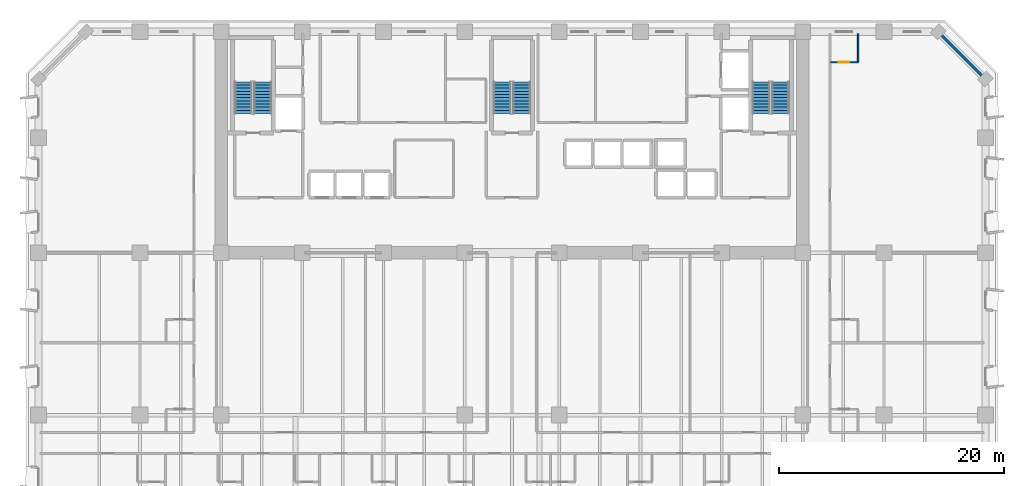
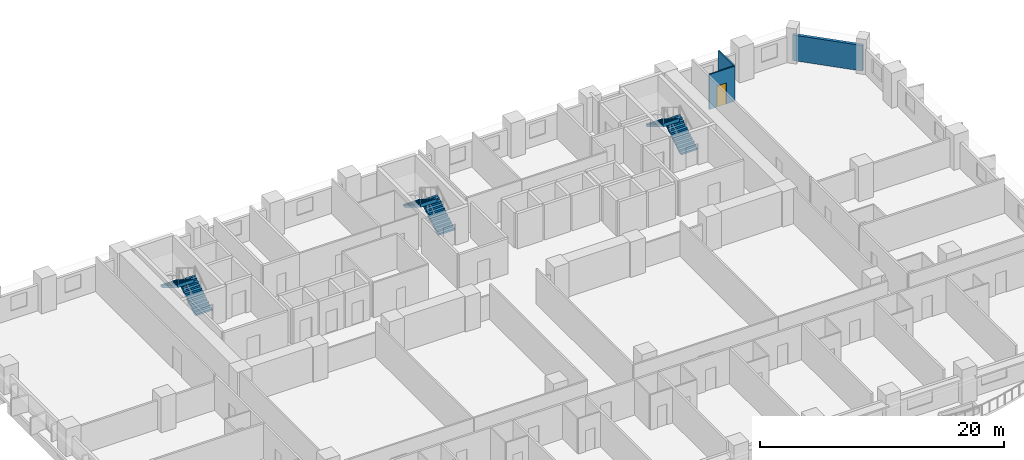
# One storey, part 11 of 15: 6 stair flights, 3 walls, 1 door, 1 opening, 3 elements without a shape of their own.
"""IFC4 building model written with IfcOpenShell, lengths in metres."""

from ifc_helpers import new_model, si_unit, direction, frame, frame_2d, origin, place, context, subcontext, project, spatial, polyline, rectangle, outline, extrude, material, layer, layer_set, type_object, element, fill, aggregate, save


model = new_model("IFC4")

# Units and contexts
model_context = context("Model", 3, precision=1e-05, world=origin(), true_north=direction((0.0, 1.0)))
body_context = subcontext(model_context, "Body", "Model", "MODEL_VIEW")
ifc_project = project(units=[si_unit("LENGTHUNIT", "METRE"), si_unit("AREAUNIT", "SQUARE_METRE"), si_unit("VOLUMEUNIT", "CUBIC_METRE"), si_unit("PLANEANGLEUNIT", "RADIAN"), si_unit("MASSUNIT", "GRAM", prefix="KILO")], contexts=[model_context])

# Site, building, storey
site_placement = place(None, origin())
site = spatial("IfcSite", under=ifc_project, at=site_placement, CompositionType="ELEMENT")
building_placement = place(site_placement, origin())
building = spatial("IfcBuilding", under=site, at=building_placement, Name="Kaelvorn Grand Hotel", CompositionType="ELEMENT")
storey_placement = place(building_placement, frame((0.0, 0.0, 57.64990234375)))
storey = spatial("IfcBuildingStorey", under=building, at=storey_placement, Name="L12", CompositionType="ELEMENT", Elevation=57.64990234375)

# Wall
ifc_material_1 = material(Name="Concrete C40/50", Category="concrete")
ifc_layer_1 = layer(ifc_material_1, 0.260009765625)
ifc_layer_set_1 = layer_set([ifc_layer_1], Name="Concrete C40/50")
wall_type_1 = type_object("IfcWallType", Name="WL-EXT-260-C40", PredefinedType="SOLIDWALL", material=ifc_layer_set_1)
wall_1_placement = place(storey_placement, frame((84.0, 44.800048828125, 0.0), z_axis=(0.0, 0.0, 1.0), x_axis=(-0.707106781187, 0.707106781187, 0.0)))
element("IfcWall", 1, at=wall_1_placement, inside=storey, type_object=wall_type_1, Name="L12 Exterior Architectural Concrete Wall 04", PredefinedType="SOLIDWALL", context=body_context, shape_type="SweptSolid", body=[
    extrude(rectangle(XDim=5.939697265625, YDim=0.260009765625, at=frame_2d((2.9697265625, 0.0))), origin(), (0.0, 0.0, 1.0), 2.56005859375),
])

# Wall, opening, door
ifc_material_2 = material(Name="Moisture-Resistant Tile & Stud Board")
ifc_layer_2 = layer(ifc_material_2, 0.125)
ifc_layer_set_2 = layer_set([ifc_layer_2], Name="Moisture-Resistant Tile & Stud Board")
wall_type_2 = type_object("IfcWallType", Name="WL-PART-125-WET", PredefinedType="PARTITIONING", material=ifc_layer_set_2)
wall_2_placement = place(storey_placement, frame((70.294921875, 46.300048828125, 0.0), z_axis=(0.0, 0.0, 1.0), x_axis=(1.0, 0.0, 0.0)))
wall_2 = element("IfcWall", 2, at=wall_2_placement, inside=storey, type_object=wall_type_2, Name="L12 En-suite Bathroom L12-16 S Partition", PredefinedType="PARTITIONING", context=body_context, shape_type="SweptSolid", body=[
    extrude(rectangle(XDim=2.405029296875, YDim=0.125, at=frame_2d((1.20263671875, 0.0))), origin(), (0.0, 0.0, 1.0), 3.510009765625),
])
opening_placement = place(wall_2_placement, frame((0.705078125, 0.0, 0.0)))
opening = element("IfcOpeningElement", 3, at=opening_placement, cuts=wall_2, Name="Opening DI4", PredefinedType="OPENING", context=body_context, shape_type="SweptSolid", body=[
    extrude(rectangle(XDim=0.89990234375, YDim=2.10009765625, at=frame_2d((0.449951171875, 1.050048828125))), frame((0.0, 0.072509765625, 0.0), z_axis=(0.0, -1.0, 0.0), x_axis=(1.0, 0.0, 0.0)), (0.0, 0.0, 1.0), 0.14501953125),
])
ifc_material_3 = material(Name="Timber Veneer Leaf", Category="wood")
door_type = type_object("IfcDoorType", Name="DR-INT-BATH-900x2100", OperationType="NOTDEFINED", PredefinedType="DOOR", material=ifc_material_3)
door_placement = place(opening_placement, origin())
door = element("IfcDoor", 4, at=door_placement, inside=storey, type_object=door_type, Name="L12 En-suite Bathroom L12-16 Door", OperationType="SINGLE_SWING_LEFT", OverallHeight=2.10009765625, OverallWidth=0.89990234375, PredefinedType="DOOR", context=body_context, shape_type="SweptSolid", body=[
    extrude(rectangle(XDim=0.89990234375, YDim=2.10009765625, at=frame_2d((0.449951171875, 1.050048828125))), frame((0.0, 0.02490234375, 0.0), z_axis=(0.0, -1.0, 0.0), x_axis=(1.0, 0.0, 0.0)), (0.0, 0.0, 1.0), 0.050048828125),
])
fill(opening, door)

# Wall
wall_3_placement = place(storey_placement, frame((72.699951171875, 46.367431640625, 0.0), z_axis=(0.0, 0.0, 1.0), x_axis=(0.0, 1.0, 0.0)))
element("IfcWall", 5, at=wall_3_placement, inside=storey, type_object=wall_type_2, Name="L12 En-suite Bathroom L12-16 E Partition", PredefinedType="PARTITIONING", context=body_context, shape_type="SweptSolid", body=[
    extrude(rectangle(XDim=2.482666015625, YDim=0.125, at=frame_2d((1.2412109375, 0.0))), origin(), (0.0, 0.0, 1.0), 3.510009765625),
])

# Stair, stair flights
stair_type = type_object("IfcStairType", Name="STR-DOG-1560-R06", PredefinedType="HALF_TURN_STAIR", material=ifc_material_1)
stair_1_placement = place(storey_placement, origin())
stair_1 = element("IfcStair", 6, at=stair_1_placement, inside=storey, type_object=stair_type, Name="L12 West Core Exit Stair ST1", PredefinedType="HALF_TURN_STAIR")
stair_flight_type = type_object("IfcStairFlightType", Name="FLG-DOG-1560-R06", PredefinedType="STRAIGHT", material=ifc_material_1)
stair_flight_1_placement = place(storey_placement, frame((19.89990234375, 41.760009765625, 0.0), z_axis=(0.0, 0.0, 1.0), x_axis=(0.0, 1.0, 0.0)))
stair_flight_1 = element("IfcStairFlight", 7, at=stair_flight_1_placement, type_object=stair_flight_type, Name="ST1 flight 1", NumberOfRisers=11, NumberOfTreads=10, PredefinedType="STRAIGHT", RiserHeight=0.170454545, TreadLength=0.28, context=body_context, shape_type="SweptSolid", body=[
    extrude(outline(polyline([(-0.0048828125, 0.0), (-0.0048828125, 0.0400390625), (0.0, 0.17041015625), (0.280029296875, 0.17041015625), (0.280029296875, 0.3408203125), (0.56005859375, 0.3408203125), (0.56005859375, 0.511474609375), (0.840087890625, 0.511474609375), (0.840087890625, 0.681884765625), (1.1201171875, 0.681884765625), (1.1201171875, 0.852294921875), (1.39990234375, 0.852294921875), (1.39990234375, 1.022705078125), (1.679931640625, 1.022705078125), (1.679931640625, 1.193115234375), (1.9599609375, 1.193115234375), (1.9599609375, 1.363525390625), (2.239990234375, 1.363525390625), (2.239990234375, 1.5341796875), (2.52001953125, 1.5341796875), (2.52001953125, 1.70458984375), (2.800048828125, 1.70458984375), (2.800048828125, 1.875), (2.804931640625, 1.875), (2.804931640625, 1.529052734375), (0.288330078125, 0.0), (-0.0048828125, 0.0)])), frame((0.0, 0.780029296875, 0.0), z_axis=(0.0, -1.0, 0.0), x_axis=(1.0, 0.0, 0.0)), (0.0, 0.0, 1.0), 1.56005859375),
])
stair_flight_2_placement = place(storey_placement, frame((18.179931640625, 44.56005859375, 1.875), z_axis=(0.0, 0.0, 1.0), x_axis=(0.0, -1.0, 0.0)))
stair_flight_2 = element("IfcStairFlight", 8, at=stair_flight_2_placement, type_object=stair_flight_type, Name="ST1 flight 2", NumberOfRisers=11, NumberOfTreads=10, PredefinedType="STRAIGHT", RiserHeight=0.170454545, TreadLength=0.28, context=body_context, shape_type="SweptSolid", body=[
    extrude(outline(polyline([(-0.0048828125, 0.0), (-0.0048828125, 0.0400390625), (0.0, 0.17041015625), (0.280029296875, 0.17041015625), (0.280029296875, 0.3408203125), (0.56005859375, 0.3408203125), (0.56005859375, 0.511474609375), (0.840087890625, 0.511474609375), (0.840087890625, 0.681884765625), (1.1201171875, 0.681884765625), (1.1201171875, 0.852294921875), (1.39990234375, 0.852294921875), (1.39990234375, 1.022705078125), (1.679931640625, 1.022705078125), (1.679931640625, 1.193115234375), (1.9599609375, 1.193115234375), (1.9599609375, 1.363525390625), (2.239990234375, 1.363525390625), (2.239990234375, 1.5341796875), (2.52001953125, 1.5341796875), (2.52001953125, 1.70458984375), (2.800048828125, 1.70458984375), (2.800048828125, 1.875), (2.804931640625, 1.875), (2.804931640625, 1.529052734375), (0.288330078125, 0.0), (-0.0048828125, 0.0)])), frame((0.0, 0.780029296875, 0.0), z_axis=(0.0, -1.0, 0.0), x_axis=(1.0, 0.0, 0.0)), (0.0, 0.0, 1.0), 1.56005859375),
])
aggregate(stair_1, [stair_flight_1, stair_flight_2])

stair_2_placement = place(storey_placement, origin())
stair_2 = element("IfcStair", 9, at=stair_2_placement, inside=storey, type_object=stair_type, Name="L12 Central Core Exit Stair ST2", PredefinedType="HALF_TURN_STAIR")
stair_flight_3_placement = place(storey_placement, frame((42.860107421875, 41.760009765625, 0.0), z_axis=(0.0, 0.0, 1.0), x_axis=(0.0, 1.0, 0.0)))
stair_flight_3 = element("IfcStairFlight", 10, at=stair_flight_3_placement, type_object=stair_flight_type, Name="ST2 flight 1", NumberOfRisers=11, NumberOfTreads=10, PredefinedType="STRAIGHT", RiserHeight=0.170454545, TreadLength=0.28, context=body_context, shape_type="SweptSolid", body=[
    extrude(outline(polyline([(-0.0048828125, 0.0), (-0.0048828125, 0.0400390625), (0.0, 0.17041015625), (0.280029296875, 0.17041015625), (0.280029296875, 0.3408203125), (0.56005859375, 0.3408203125), (0.56005859375, 0.511474609375), (0.840087890625, 0.511474609375), (0.840087890625, 0.681884765625), (1.1201171875, 0.681884765625), (1.1201171875, 0.852294921875), (1.39990234375, 0.852294921875), (1.39990234375, 1.022705078125), (1.679931640625, 1.022705078125), (1.679931640625, 1.193115234375), (1.9599609375, 1.193115234375), (1.9599609375, 1.363525390625), (2.239990234375, 1.363525390625), (2.239990234375, 1.5341796875), (2.52001953125, 1.5341796875), (2.52001953125, 1.70458984375), (2.800048828125, 1.70458984375), (2.800048828125, 1.875), (2.804931640625, 1.875), (2.804931640625, 1.529052734375), (0.288330078125, 0.0), (-0.0048828125, 0.0)])), frame((0.0, 0.780029296875, 0.0), z_axis=(0.0, -1.0, 0.0), x_axis=(1.0, 0.0, 0.0)), (0.0, 0.0, 1.0), 1.56005859375),
])
stair_flight_4_placement = place(storey_placement, frame((41.139892578125, 44.56005859375, 1.875), z_axis=(0.0, 0.0, 1.0), x_axis=(0.0, -1.0, 0.0)))
stair_flight_4 = element("IfcStairFlight", 11, at=stair_flight_4_placement, type_object=stair_flight_type, Name="ST2 flight 2", NumberOfRisers=11, NumberOfTreads=10, PredefinedType="STRAIGHT", RiserHeight=0.170454545, TreadLength=0.28, context=body_context, shape_type="SweptSolid", body=[
    extrude(outline(polyline([(-0.0048828125, 0.0), (-0.0048828125, 0.0400390625), (0.0, 0.17041015625), (0.280029296875, 0.17041015625), (0.280029296875, 0.3408203125), (0.56005859375, 0.3408203125), (0.56005859375, 0.511474609375), (0.840087890625, 0.511474609375), (0.840087890625, 0.681884765625), (1.1201171875, 0.681884765625), (1.1201171875, 0.852294921875), (1.39990234375, 0.852294921875), (1.39990234375, 1.022705078125), (1.679931640625, 1.022705078125), (1.679931640625, 1.193115234375), (1.9599609375, 1.193115234375), (1.9599609375, 1.363525390625), (2.239990234375, 1.363525390625), (2.239990234375, 1.5341796875), (2.52001953125, 1.5341796875), (2.52001953125, 1.70458984375), (2.800048828125, 1.70458984375), (2.800048828125, 1.875), (2.804931640625, 1.875), (2.804931640625, 1.529052734375), (0.288330078125, 0.0), (-0.0048828125, 0.0)])), frame((0.0, 0.780029296875, 0.0), z_axis=(0.0, -1.0, 0.0), x_axis=(1.0, 0.0, 0.0)), (0.0, 0.0, 1.0), 1.56005859375),
])
aggregate(stair_2, [stair_flight_3, stair_flight_4])

stair_3_placement = place(storey_placement, origin())
stair_3 = element("IfcStair", 12, at=stair_3_placement, inside=storey, type_object=stair_type, Name="L12 East Core Exit Stair ST3", PredefinedType="HALF_TURN_STAIR")
stair_flight_5_placement = place(storey_placement, frame((65.820068359375, 41.760009765625, 0.0), z_axis=(0.0, 0.0, 1.0), x_axis=(0.0, 1.0, 0.0)))
stair_flight_5 = element("IfcStairFlight", 13, at=stair_flight_5_placement, type_object=stair_flight_type, Name="ST3 flight 1", NumberOfRisers=11, NumberOfTreads=10, PredefinedType="STRAIGHT", RiserHeight=0.170454545, TreadLength=0.28, context=body_context, shape_type="SweptSolid", body=[
    extrude(outline(polyline([(-0.0048828125, 0.0), (-0.0048828125, 0.0400390625), (0.0, 0.17041015625), (0.280029296875, 0.17041015625), (0.280029296875, 0.3408203125), (0.56005859375, 0.3408203125), (0.56005859375, 0.511474609375), (0.840087890625, 0.511474609375), (0.840087890625, 0.681884765625), (1.1201171875, 0.681884765625), (1.1201171875, 0.852294921875), (1.39990234375, 0.852294921875), (1.39990234375, 1.022705078125), (1.679931640625, 1.022705078125), (1.679931640625, 1.193115234375), (1.9599609375, 1.193115234375), (1.9599609375, 1.363525390625), (2.239990234375, 1.363525390625), (2.239990234375, 1.5341796875), (2.52001953125, 1.5341796875), (2.52001953125, 1.70458984375), (2.800048828125, 1.70458984375), (2.800048828125, 1.875), (2.804931640625, 1.875), (2.804931640625, 1.529052734375), (0.288330078125, 0.0), (-0.0048828125, 0.0)])), frame((0.0, 0.780029296875, 0.0), z_axis=(0.0, -1.0, 0.0), x_axis=(1.0, 0.0, 0.0)), (0.0, 0.0, 1.0), 1.56005859375),
])
stair_flight_6_placement = place(storey_placement, frame((64.10009765625, 44.56005859375, 1.875), z_axis=(0.0, 0.0, 1.0), x_axis=(0.0, -1.0, 0.0)))
stair_flight_6 = element("IfcStairFlight", 14, at=stair_flight_6_placement, type_object=stair_flight_type, Name="ST3 flight 2", NumberOfRisers=11, NumberOfTreads=10, PredefinedType="STRAIGHT", RiserHeight=0.170454545, TreadLength=0.28, context=body_context, shape_type="SweptSolid", body=[
    extrude(outline(polyline([(-0.0048828125, 0.0), (-0.0048828125, 0.0400390625), (0.0, 0.17041015625), (0.280029296875, 0.17041015625), (0.280029296875, 0.3408203125), (0.56005859375, 0.3408203125), (0.56005859375, 0.511474609375), (0.840087890625, 0.511474609375), (0.840087890625, 0.681884765625), (1.1201171875, 0.681884765625), (1.1201171875, 0.852294921875), (1.39990234375, 0.852294921875), (1.39990234375, 1.022705078125), (1.679931640625, 1.022705078125), (1.679931640625, 1.193115234375), (1.9599609375, 1.193115234375), (1.9599609375, 1.363525390625), (2.239990234375, 1.363525390625), (2.239990234375, 1.5341796875), (2.52001953125, 1.5341796875), (2.52001953125, 1.70458984375), (2.800048828125, 1.70458984375), (2.800048828125, 1.875), (2.804931640625, 1.875), (2.804931640625, 1.529052734375), (0.288330078125, 0.0), (-0.0048828125, 0.0)])), frame((0.0, 0.780029296875, 0.0), z_axis=(0.0, -1.0, 0.0), x_axis=(1.0, 0.0, 0.0)), (0.0, 0.0, 1.0), 1.56005859375),
])
aggregate(stair_3, [stair_flight_5, stair_flight_6])

save(model, "model.ifc")
